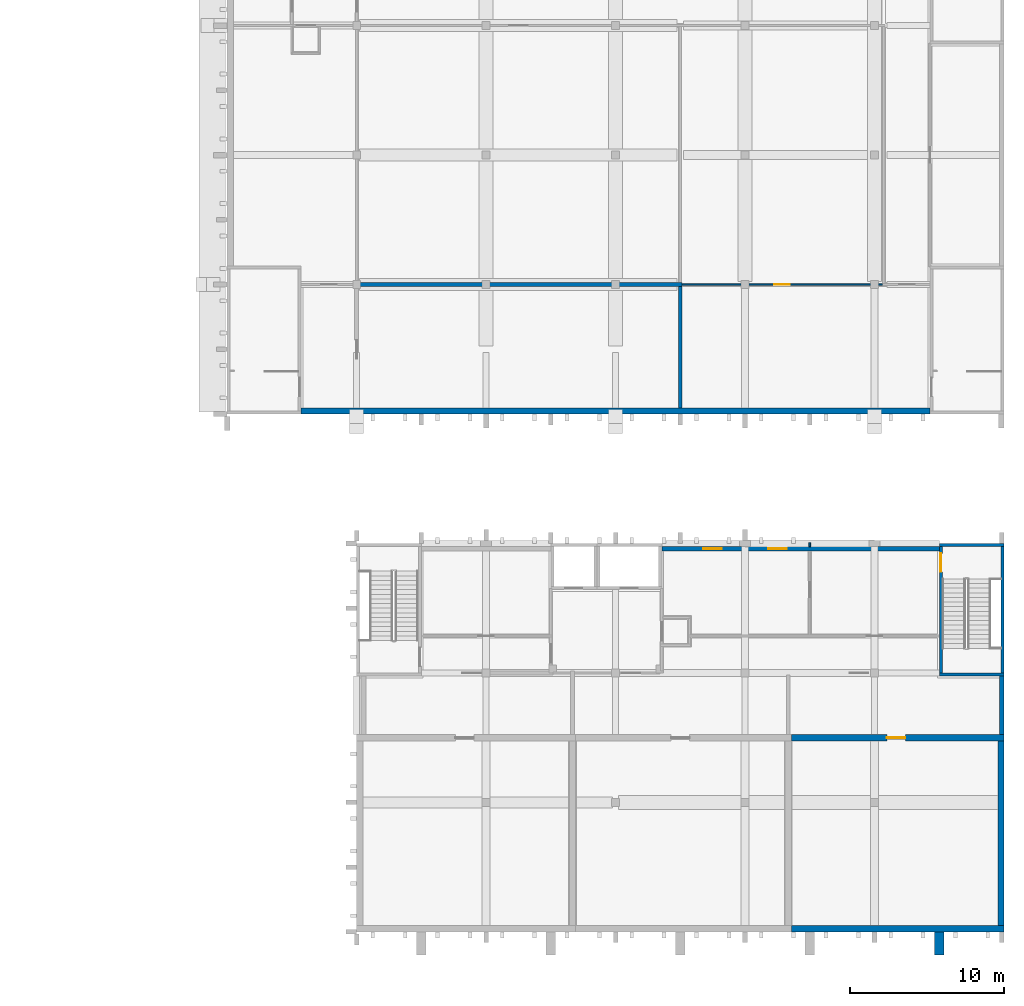
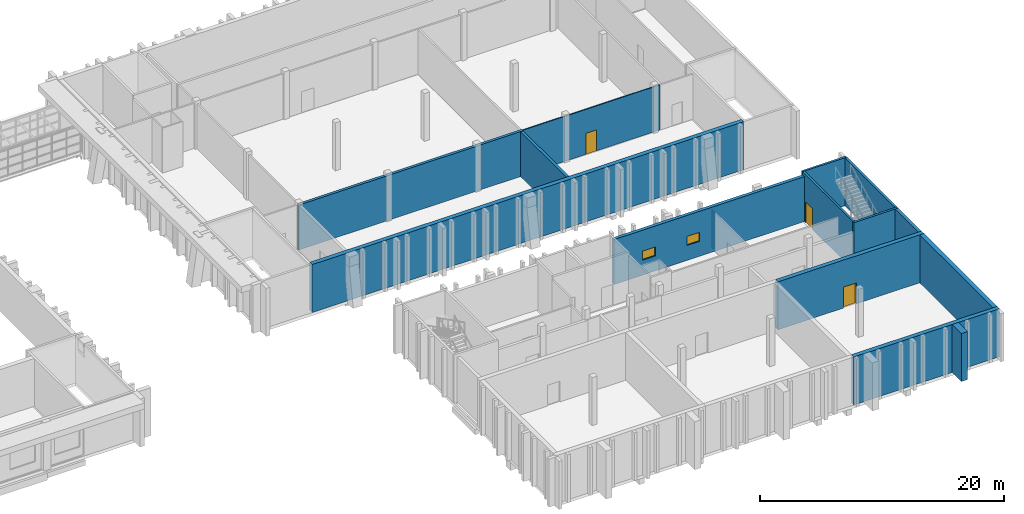
# One storey, part 53 of 86: 15 walls, 3 doors, 2 windows, 5 openings.
"""IFC4 building model written with IfcOpenShell, lengths in metres."""

from ifc_helpers import new_model, si_unit, direction, frame, frame_2d, origin, place, context, subcontext, project, spatial, rectangle, extrude, material, layer, layer_set, type_object, element, fill, save


model = new_model("IFC4")

# Units and contexts
model_context = context("Model", 3, precision=1e-05, world=origin(), true_north=direction((0.0, 1.0)))
body_context = subcontext(model_context, "Body", "Model", "MODEL_VIEW")
ifc_project = project(units=[si_unit("LENGTHUNIT", "METRE"), si_unit("AREAUNIT", "SQUARE_METRE"), si_unit("VOLUMEUNIT", "CUBIC_METRE"), si_unit("PLANEANGLEUNIT", "RADIAN"), si_unit("MASSUNIT", "GRAM", prefix="KILO")], contexts=[model_context])

# Site, building, storey
site_placement = place(None, origin())
site = spatial("IfcSite", under=ifc_project, at=site_placement, CompositionType="ELEMENT")
building_placement = place(site_placement, origin())
building = spatial("IfcBuilding", under=site, at=building_placement, Name="Kiln Court Media Centre", CompositionType="ELEMENT")
storey_placement = place(building_placement, frame((0.0, 0.0, 10.199951171875)))
storey = spatial("IfcBuildingStorey", under=building, at=storey_placement, Name="L02", CompositionType="ELEMENT", Elevation=10.199951171875)

# Wall
ifc_material_1 = material(Name="Concrete C40/50", Category="concrete")
ifc_layer_1 = layer(ifc_material_1, 0.39990234375)
ifc_layer_set_1 = layer_set([ifc_layer_1], Name="Concrete C40/50 auditorium wall 400")
wall_type_1 = type_object("IfcWallType", Name="Concrete C40/50 auditorium wall 400", PredefinedType="SHEAR", material=ifc_layer_set_1)
wall_1_placement = place(storey_placement, frame((163.199951171875, 33.800048828125, 0.0), z_axis=(0.0, 0.0, 1.0), x_axis=(-1.0, 0.0, 0.0)))
element("IfcWall", 1, at=wall_1_placement, inside=storey, type_object=wall_type_1, Name="L02-W-1138", PredefinedType="SHEAR", context=body_context, shape_type="SweptSolid", body=[
    extrude(rectangle(XDim=40.800048828125, YDim=0.39990234375, at=frame_2d((20.39990234375, 0.0))), origin(), (0.0, 0.0, 1.0), 4.800048828125),
])

# Wall, openings, windows
ifc_material_2 = material(Name="Concrete C40/50", Category="concrete")
ifc_layer_2 = layer(ifc_material_2, 0.300048828125)
ifc_layer_set_2 = layer_set([ifc_layer_2], Name="Concrete C40/50 board-marked facade wall 300")
wall_type_2 = type_object("IfcWallType", Name="Concrete C40/50 board-marked facade wall 300", PredefinedType="SOLIDWALL", material=ifc_layer_set_2)
wall_2_placement = place(storey_placement, frame((145.800048828125, 24.85009765625, 0.0), z_axis=(0.0, 0.0, 1.0), x_axis=(1.0, 0.0, 0.0)))
wall_2 = element("IfcWall", 2, at=wall_2_placement, inside=storey, type_object=wall_type_2, Name="V5 N facade wall 4012", PredefinedType="SOLIDWALL", context=body_context, shape_type="SweptSolid", body=[
    extrude(rectangle(XDim=18.0, YDim=0.300048828125, at=frame_2d((9.0, 0.0))), origin(), (0.0, 0.0, 1.0), 4.5),
])
opening_1_placement = place(wall_2_placement, frame((2.699951171875, 0.0, 1.5)))
opening_1 = element("IfcOpeningElement", 3, at=opening_1_placement, cuts=wall_2, Name="Opening WN2515", PredefinedType="OPENING", context=body_context, shape_type="SweptSolid", body=[
    extrude(rectangle(XDim=1.199951171875, YDim=0.89990234375, at=frame_2d((0.60009765625, 0.449951171875))), frame((0.0, 0.159912109375, 0.0), z_axis=(0.0, -1.0, 0.0), x_axis=(1.0, 0.0, 0.0)), (0.0, 0.0, 1.0), 0.320068359375),
])
opening_2_placement = place(wall_2_placement, frame((6.89990234375, 0.0, 1.5)))
opening_2 = element("IfcOpeningElement", 4, at=opening_2_placement, cuts=wall_2, Name="Opening WN2516", PredefinedType="OPENING", context=body_context, shape_type="SweptSolid", body=[
    extrude(rectangle(XDim=1.199951171875, YDim=0.89990234375, at=frame_2d((0.60009765625, 0.449951171875))), frame((0.0, 0.159912109375, 0.0), z_axis=(0.0, -1.0, 0.0), x_axis=(1.0, 0.0, 0.0)), (0.0, 0.0, 1.0), 0.320068359375),
])
ifc_material_3 = material(Name="Aluminium 6063-T6", Category="aluminium")
window_type = type_object("IfcWindowType", Name="Aluminium control room window 1200x900", PartitioningType="SINGLE_PANEL", PredefinedType="WINDOW", material=ifc_material_3)
window_1_placement = place(opening_1_placement, origin())
window_1 = element("IfcWindow", 5, at=window_1_placement, inside=storey, type_object=window_type, Name="V5 N wc window", OverallHeight=0.89990234375, OverallWidth=1.199951171875, PartitioningType="SINGLE_PANEL", PredefinedType="WINDOW", context=body_context, shape_type="SweptSolid", body=[
    extrude(rectangle(XDim=1.199951171875, YDim=0.89990234375, at=frame_2d((0.60009765625, 0.449951171875))), frame((0.0, 0.030029296875, 0.0), z_axis=(0.0, -1.0, 0.0), x_axis=(1.0, 0.0, 0.0)), (0.0, 0.0, 1.0), 0.06005859375),
])
fill(opening_1, window_1)
window_2_placement = place(opening_2_placement, origin())
window_2 = element("IfcWindow", 6, at=window_2_placement, inside=storey, type_object=window_type, Name="V5 N wc window", OverallHeight=0.89990234375, OverallWidth=1.199951171875, PartitioningType="SINGLE_PANEL", PredefinedType="WINDOW", context=body_context, shape_type="SweptSolid", body=[
    extrude(rectangle(XDim=1.199951171875, YDim=0.89990234375, at=frame_2d((0.60009765625, 0.449951171875))), frame((0.0, 0.030029296875, 0.0), z_axis=(0.0, -1.0, 0.0), x_axis=(1.0, 0.0, 0.0)), (0.0, 0.0, 1.0), 0.06005859375),
])
fill(opening_2, window_2)

# Walls
ifc_material_4 = material(Name="Concrete C40/50", Category="concrete")
ifc_layer_3 = layer(ifc_material_4, 0.60009765625)
ifc_layer_set_3 = layer_set([ifc_layer_3], Name="Concrete C40/50 cast rib 600x1500")
wall_type_3 = type_object("IfcWallType", Name="Concrete C40/50 cast rib 600x1500", PredefinedType="SOLIDWALL", material=ifc_layer_set_3)
wall_3_placement = place(storey_placement, frame((163.800048828125, 0.0, 0.0), z_axis=(0.0, 0.0, 1.0), x_axis=(0.0, -1.0, 0.0)))
element("IfcWall", 7, at=wall_3_placement, inside=storey, type_object=wall_type_3, Name="V5 S cast rib 5", PredefinedType="SOLIDWALL", context=body_context, shape_type="SweptSolid", body=[
    extrude(rectangle(XDim=1.5, YDim=0.60009765625, at=frame_2d((0.75, 0.0))), origin(), (0.0, 0.0, 1.0), 4.800048828125),
])
ifc_material_5 = material(Name="Concrete C40/50", Category="concrete")
ifc_layer_4 = layer(ifc_material_5, 0.300048828125)
ifc_layer_set_4 = layer_set([ifc_layer_4], Name="Concrete C40/50 party wall 300")
wall_type_4 = type_object("IfcWallType", Name="Concrete C40/50 party wall 300", PredefinedType="SOLIDWALL", material=ifc_layer_set_4)
wall_4_placement = place(storey_placement, frame((167.849609375, 16.60009765625, 0.0), z_axis=(0.0, 0.0, 1.0), x_axis=(0.0, -1.0, 0.0)))
element("IfcWall", 8, at=wall_4_placement, inside=storey, type_object=wall_type_4, Name="L02-W-1136", PredefinedType="SOLIDWALL", context=body_context, shape_type="SweptSolid", body=[
    extrude(rectangle(XDim=3.800048828125, YDim=0.300048828125, at=frame_2d((1.89990234375, 0.0))), origin(), (0.0, 0.0, 1.0), 4.800048828125),
])
ifc_material_6 = material(Name="Concrete C40/50", Category="concrete")
ifc_layer_5 = layer(ifc_material_6, 0.199951171875)
ifc_layer_set_5 = layer_set([ifc_layer_5], Name="Concrete C40/50 shear wall 200")
wall_type_5 = type_object("IfcWallType", Name="Concrete C40/50 shear wall 200", PredefinedType="SHEAR", material=ifc_layer_set_5)
for number, where, z_axis, x_axis, name in (
    (9, (167.99951171875, 16.699951171875, 0.0), (0.0, 0.0, 1.0), (-1.0, 0.0, 0.0), "L02-W-1064"),
    (10, (163.800048828125, 25.10009765625, 0.0), (0.0, 0.0, 1.0), (1.0, 0.0, 0.0), "L02-W-1065"),
):
    element("IfcWall", number, at=place(storey_placement, frame(where, z_axis=z_axis, x_axis=x_axis)), inside=storey, type_object=wall_type_5, Name=name, PredefinedType="SHEAR", context=body_context, shape_type="SweptSolid", body=[
        extrude(rectangle(XDim=4.199462890625, YDim=0.199951171875, at=frame_2d((2.099609375, 0.0))), origin(), (0.0, 0.0, 1.0), 4.800048828125),
    ])

# Wall, opening, door
wall_5_placement = place(storey_placement, frame((163.89990234375, 16.800048828125, 0.0), z_axis=(0.0, 0.0, 1.0), x_axis=(0.0, 1.0, 0.0)))
wall_5 = element("IfcWall", 11, at=wall_5_placement, inside=storey, type_object=wall_type_5, Name="L02-W-1066", PredefinedType="SHEAR", context=body_context, shape_type="SweptSolid", body=[
    extrude(rectangle(XDim=8.199951171875, YDim=0.199951171875, at=frame_2d((4.10009765625, 0.0))), origin(), (0.0, 0.0, 1.0), 4.800048828125),
])
opening_3_placement = place(wall_5_placement, frame((6.550048828125, 0.0, 0.0)))
opening_3 = element("IfcOpeningElement", 12, at=opening_3_placement, cuts=wall_5, Name="Opening D2012", PredefinedType="OPENING", context=body_context, shape_type="SweptSolid", body=[
    extrude(rectangle(XDim=1.199951171875, YDim=2.10009765625, at=frame_2d((0.60009765625, 1.050048828125))), frame((0.0, 0.10986328125, 0.0), z_axis=(0.0, -1.0, 0.0), x_axis=(1.0, 0.0, 0.0)), (0.0, 0.0, 1.0), 0.219970703125),
])
ifc_material_7 = material(Name="Steel S275", Category="steel")
door_type_1 = type_object("IfcDoorType", Name="Steel stair door 1200 x 2100 FD180", OperationType="SINGLE_SWING_LEFT", PredefinedType="DOOR", material=ifc_material_7)
door_1_placement = place(opening_3_placement, origin())
door_1 = element("IfcDoor", 13, at=door_1_placement, inside=storey, type_object=door_type_1, Name="Stair 17 / Radio Production Suite", OperationType="SINGLE_SWING_RIGHT", OverallHeight=2.10009765625, OverallWidth=1.199951171875, PredefinedType="DOOR", context=body_context, shape_type="SweptSolid", body=[
    extrude(rectangle(XDim=1.199951171875, YDim=2.10009765625, at=frame_2d((0.60009765625, 1.050048828125))), frame((0.0, 0.02490234375, 0.0), z_axis=(0.0, -1.0, 0.0), x_axis=(1.0, 0.0, 0.0)), (0.0, 0.0, 1.0), 0.050048828125),
])
fill(opening_3, door_1)

# Walls
wall_6_placement = place(storey_placement, frame((167.899658203125, 25.0, 0.0), z_axis=(0.0, 0.0, 1.0), x_axis=(0.0, -1.0, 0.0)))
element("IfcWall", 14, at=wall_6_placement, inside=storey, type_object=wall_type_5, Name="L02-W-1067", PredefinedType="SHEAR", context=body_context, shape_type="SweptSolid", body=[
    extrude(rectangle(XDim=8.199951171875, YDim=0.199951171875, at=frame_2d((4.10009765625, 0.0))), origin(), (0.0, 0.0, 1.0), 4.800048828125),
])
ifc_material_8 = material(Name="Concrete C40/50", Category="concrete")
ifc_layer_6 = layer(ifc_material_8, 0.39990234375)
ifc_layer_set_6 = layer_set([ifc_layer_6], Name="Concrete C40/50 studio wall 400")
wall_type_6 = type_object("IfcWallType", Name="Concrete C40/50 studio wall 400", PredefinedType="SHEAR", material=ifc_layer_set_6)
wall_7_placement = place(storey_placement, frame((167.99951171875, 0.199951171875, 0.0), z_axis=(0.0, 0.0, 1.0), x_axis=(-1.0, 0.0, 0.0)))
element("IfcWall", 15, at=wall_7_placement, inside=storey, type_object=wall_type_6, Name="L02-W-1132", PredefinedType="SHEAR", context=body_context, shape_type="SweptSolid", body=[
    extrude(rectangle(XDim=13.799560546875, YDim=0.39990234375, at=frame_2d((6.89990234375, 0.0))), origin(), (0.0, 0.0, 1.0), 4.800048828125),
])

# Wall, opening, door
wall_8_placement = place(storey_placement, frame((154.199951171875, 12.60009765625, 0.0), z_axis=(0.0, 0.0, 1.0), x_axis=(1.0, 0.0, 0.0)))
wall_8 = element("IfcWall", 16, at=wall_8_placement, inside=storey, type_object=wall_type_6, Name="L02-W-1133", PredefinedType="SHEAR", context=body_context, shape_type="SweptSolid", body=[
    extrude(rectangle(XDim=13.799560546875, YDim=0.39990234375, at=frame_2d((6.89990234375, 0.0))), origin(), (0.0, 0.0, 1.0), 4.800048828125),
])
opening_4_placement = place(wall_8_placement, frame((6.199951171875, 0.0, 0.0)))
opening_4 = element("IfcOpeningElement", 17, at=opening_4_placement, cuts=wall_8, Name="Opening D2075", PredefinedType="OPENING", context=body_context, shape_type="SweptSolid", body=[
    extrude(rectangle(XDim=1.199951171875, YDim=2.10009765625, at=frame_2d((0.60009765625, 1.050048828125))), frame((0.0, 0.2099609375, 0.0), z_axis=(0.0, -1.0, 0.0), x_axis=(1.0, 0.0, 0.0)), (0.0, 0.0, 1.0), 0.419921875),
])
ifc_material_9 = material(Name="Steel S275", Category="steel")
door_type_2 = type_object("IfcDoorType", Name="Acoustic studio door 1200 x 2100 FD180", OperationType="SINGLE_SWING_LEFT", PredefinedType="DOOR", material=ifc_material_9)
door_2_placement = place(opening_4_placement, origin())
door_2 = element("IfcDoor", 18, at=door_2_placement, inside=storey, type_object=door_type_2, Name="Radio Studio 3 / Radio Control Room 3", OperationType="SINGLE_SWING_RIGHT", OverallHeight=2.10009765625, OverallWidth=1.199951171875, PredefinedType="DOOR", context=body_context, shape_type="SweptSolid", body=[
    extrude(rectangle(XDim=1.199951171875, YDim=2.10009765625, at=frame_2d((0.60009765625, 1.050048828125))), frame((0.0, 0.02490234375, 0.0), z_axis=(0.0, -1.0, 0.0), x_axis=(1.0, 0.0, 0.0)), (0.0, 0.0, 1.0), 0.050048828125),
])
fill(opening_4, door_2)

# Walls
wall_9_placement = place(storey_placement, frame((167.799560546875, 12.39990234375, 0.0), z_axis=(0.0, 0.0, 1.0), x_axis=(0.0, -1.0, 0.0)))
element("IfcWall", 19, at=wall_9_placement, inside=storey, type_object=wall_type_6, Name="L02-W-1134", PredefinedType="SHEAR", context=body_context, shape_type="SweptSolid", body=[
    extrude(rectangle(XDim=12.0, YDim=0.39990234375, at=frame_2d((6.0, 0.0))), origin(), (0.0, 0.0, 1.0), 4.800048828125),
])
ifc_material_10 = material(Name="Gypsum plasterboard", Category="gypsum")
ifc_layer_7 = layer(ifc_material_10, 0.25)
ifc_layer_set_7 = layer_set([ifc_layer_7], Name="Double-leaf acoustic wall 250 EI 120")
wall_type_7 = type_object("IfcWallType", Name="Double-leaf acoustic wall 250 EI 120", PredefinedType="PARTITIONING", material=ifc_layer_set_7)
wall_10_placement = place(storey_placement, frame((125.875, 42.0, 0.0), z_axis=(0.0, 0.0, 1.0), x_axis=(1.0, 0.0, 0.0)))
element("IfcWall", 20, at=wall_10_placement, inside=storey, type_object=wall_type_7, Name="L02 double-leaf acoustic wall", PredefinedType="PARTITIONING", context=body_context, shape_type="SweptSolid", body=[
    extrude(rectangle(XDim=21.25, YDim=0.25, at=frame_2d((10.625, 0.0))), origin(), (0.0, 0.0, 1.0), 4.5),
])
wall_11_placement = place(storey_placement, frame((147.0, 34.0, 0.0), z_axis=(0.0, 0.0, 1.0), x_axis=(0.0, 1.0, 0.0)))
element("IfcWall", 21, at=wall_11_placement, inside=storey, type_object=wall_type_7, Name="L02 double-leaf acoustic wall", PredefinedType="PARTITIONING", context=body_context, shape_type="SweptSolid", body=[
    extrude(rectangle(XDim=7.875, YDim=0.25, at=frame_2d((3.9375, 0.0))), origin(), (0.0, 0.0, 1.0), 4.5),
])

# Wall, opening, door
ifc_material_11 = material(Name="Gypsum plasterboard", Category="gypsum")
ifc_layer_8 = layer(ifc_material_11, 0.10009765625)
ifc_layer_set_8 = layer_set([ifc_layer_8], Name="Gypsum stud partition 100")
wall_type_8 = type_object("IfcWallType", Name="Gypsum stud partition 100", PredefinedType="PARTITIONING", material=ifc_layer_set_8)
wall_12_placement = place(storey_placement, frame((147.125, 42.0, 0.0), z_axis=(0.0, 0.0, 1.0), x_axis=(1.0, 0.0, 0.0)))
wall_12 = element("IfcWall", 22, at=wall_12_placement, inside=storey, type_object=wall_type_8, Name="L02 gypsum stud partition", PredefinedType="PARTITIONING", context=body_context, shape_type="SweptSolid", body=[
    extrude(rectangle(XDim=13.0, YDim=0.10009765625, at=frame_2d((6.5, 0.0))), origin(), (0.0, 0.0, 1.0), 4.5),
])
opening_5_placement = place(wall_12_placement, frame((5.97509765625, 0.0, 0.0)))
opening_5 = element("IfcOpeningElement", 23, at=opening_5_placement, cuts=wall_12, Name="Opening D2030", PredefinedType="OPENING", context=body_context, shape_type="SweptSolid", body=[
    extrude(rectangle(XDim=1.0, YDim=2.10009765625, at=frame_2d((0.5, 1.050048828125))), frame((0.0, 0.06005859375, 0.0), z_axis=(0.0, -1.0, 0.0), x_axis=(1.0, 0.0, 0.0)), (0.0, 0.0, 1.0), 0.1201171875),
])
ifc_material_12 = material(Name="Timber", Category="wood")
door_type_3 = type_object("IfcDoorType", Name="Timber door 1000 x 2100", OperationType="SINGLE_SWING_LEFT", PredefinedType="DOOR", material=ifc_material_12)
door_3_placement = place(opening_5_placement, origin())
door_3 = element("IfcDoor", 24, at=door_3_placement, inside=storey, type_object=door_type_3, Name="Production Planning / Costume and Wardrobe", OperationType="SINGLE_SWING_RIGHT", OverallHeight=2.10009765625, OverallWidth=1.0, PredefinedType="DOOR", context=body_context, shape_type="SweptSolid", body=[
    extrude(rectangle(XDim=1.0, YDim=2.10009765625, at=frame_2d((0.5, 1.050048828125))), frame((0.0, 0.02490234375, 0.0), z_axis=(0.0, -1.0, 0.0), x_axis=(1.0, 0.0, 0.0)), (0.0, 0.0, 1.0), 0.050048828125),
])
fill(opening_5, door_3)

# Wall
ifc_material_13 = material(Name="Gypsum plasterboard", Category="gypsum")
ifc_layer_9 = layer(ifc_material_13, 0.125)
ifc_layer_set_9 = layer_set([ifc_layer_9], Name="Gypsum wet-area partition 125")
wall_type_9 = type_object("IfcWallType", Name="Gypsum wet-area partition 125", PredefinedType="PARTITIONING", material=ifc_layer_set_9)
wall_13_placement = place(storey_placement, frame((155.39990234375, 25.0, 0.0), z_axis=(0.0, 0.0, 1.0), x_axis=(0.0, 1.0, 0.0)))
element("IfcWall", 25, at=wall_13_placement, inside=storey, type_object=wall_type_9, Name="L02 gypsum wet-area partition", PredefinedType="PARTITIONING", context=body_context, shape_type="SweptSolid", body=[
    extrude(rectangle(XDim=0.262451171875, YDim=0.125, at=frame_2d((0.13134765625, 0.0))), origin(), (0.0, 0.0, 1.0), 3.800048828125),
])

save(model, "model.ifc")
